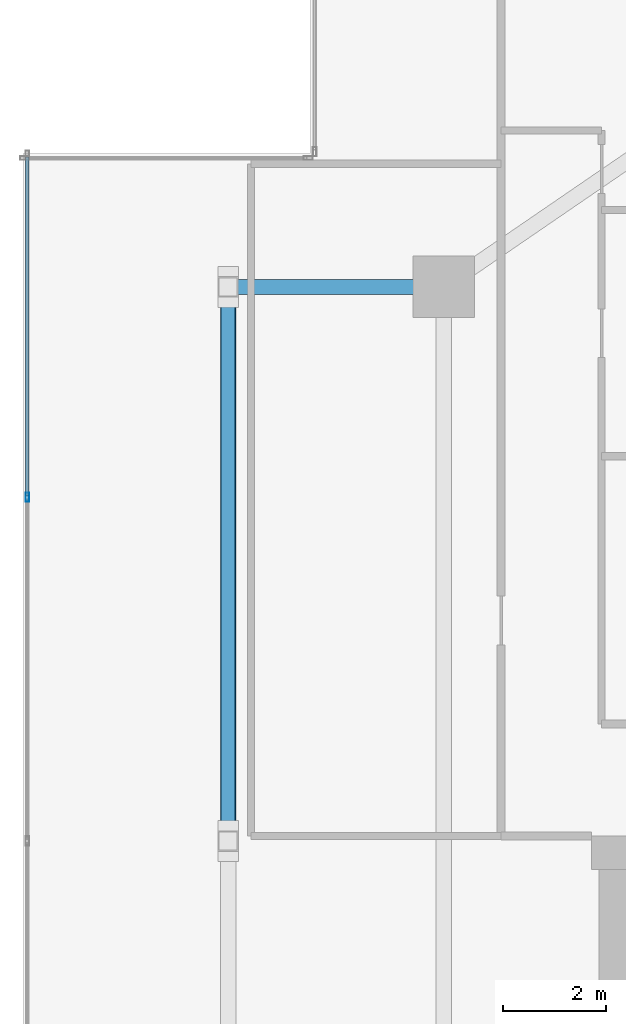
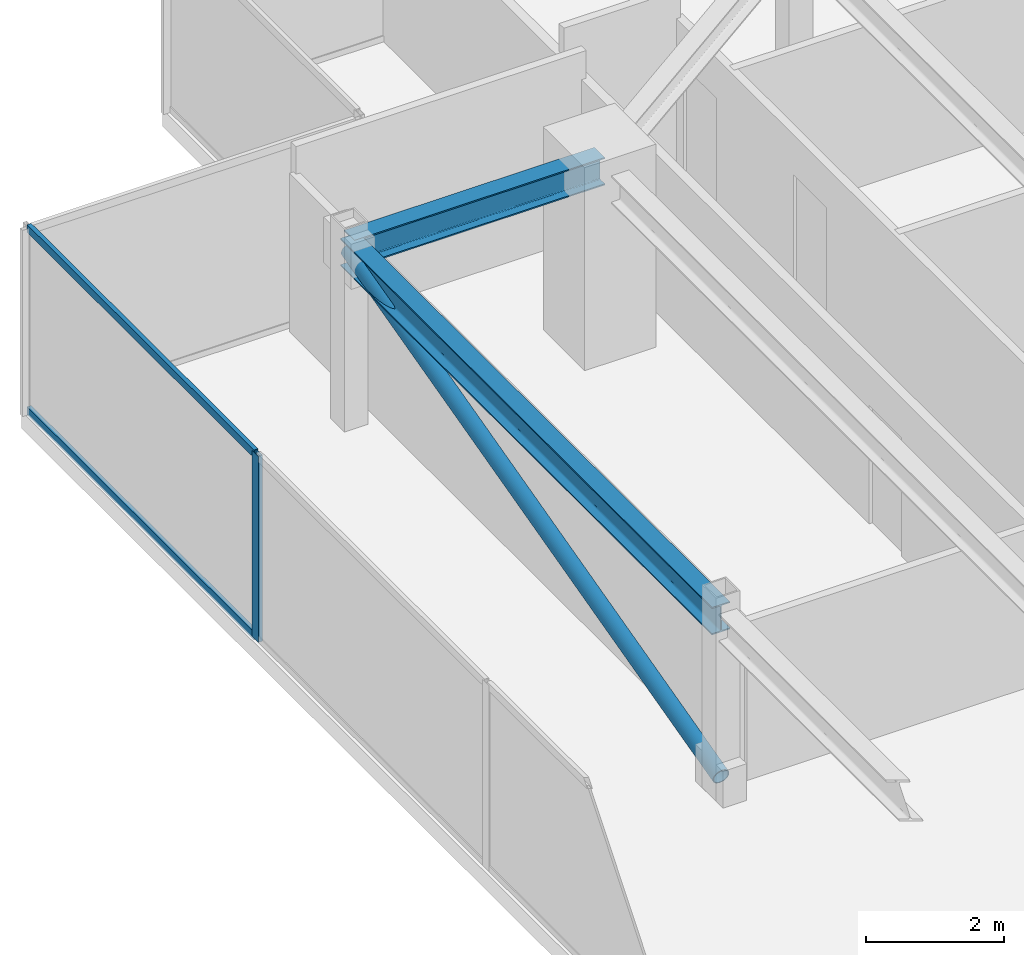
# One storey, part 10 of 25: 4 members, 2 beams, 1 element without a shape of its own.
"""IFC4 building model written with IfcOpenShell, lengths in metres."""

from ifc_helpers import new_model, si_unit, direction, frame, origin, origin_2d, place, context, subcontext, project, spatial, hollow_rectangle, hollow_circle, i_section, extrude, source, transform, mapped, material, material_profile, profile_set, type_object, type_shapes, element, aggregate, save


model = new_model("IFC4")

# Units and contexts
model_context = context("Model", 3, precision=1e-05, world=origin(), true_north=direction((0.0, 1.0)))
body_context = subcontext(model_context, "Body", "Model", "MODEL_VIEW")
ifc_project = project(units=[si_unit("LENGTHUNIT", "METRE"), si_unit("AREAUNIT", "SQUARE_METRE"), si_unit("VOLUMEUNIT", "CUBIC_METRE"), si_unit("PLANEANGLEUNIT", "RADIAN"), si_unit("MASSUNIT", "GRAM", prefix="KILO")], contexts=[model_context])

# Site, building, storey
site_placement = place(None, origin())
site = spatial("IfcSite", under=ifc_project, at=site_placement, CompositionType="ELEMENT")
building_placement = place(site_placement, origin())
building = spatial("IfcBuilding", under=site, at=building_placement, Name="Krantzveldt Concourse Tower", CompositionType="ELEMENT")
storey_placement = place(building_placement, frame((0.0, 0.0, 374.64990234375)))
storey = spatial("IfcBuildingStorey", under=building, at=storey_placement, Name="L92", CompositionType="ELEMENT", Elevation=374.64990234375)

# Beams
ifc_material_1 = material(Name="Steel S355JR", Category="steel")
ifc_material_profile_1 = material_profile(ifc_material_1, i_section(OverallWidth=0.300048828125, OverallDepth=0.489990234375, WebThickness=0.011962890625, FlangeThickness=0.02294921875, FilletRadius=0.027099609375, at=origin_2d()), Name="Steel S355JR", Category="steel")
ifc_profile_set_1 = profile_set([ifc_material_profile_1], Name="Steel S355JR - HEA 500")
beam_type = type_object("IfcBeamType", Name="BM-B-HEA500", PredefinedType="BEAM", material=ifc_profile_set_1)
shared_shape_1 = source(origin(), body_context, "Body", "SweptSolid", [
    extrude(i_section(OverallWidth=0.300048828125, OverallDepth=0.489990234375, WebThickness=0.011962890625, FlangeThickness=0.02294921875, FilletRadius=0.027099609375, at=origin_2d()), origin(), (0.0, 0.0, 1.0), 4.199951171875),
])
beam_1_placement = place(storey_placement, frame((21.0, 37.5, 3.05517578125), z_axis=(1.0, 0.0, 0.0), x_axis=(0.0, 1.0, 0.0)))
element("IfcBeam", 1, at=beam_1_placement, inside=storey, type_object=beam_type, Name="L92 Crown Girder WEST-3", PredefinedType="BEAM", context=body_context, shape_type="MappedRepresentation", body=[
    mapped(shared_shape_1, transform((0.0, 0.0, 0.0), x_axis=(1.0, 0.0, 0.0), y_axis=(0.0, 1.0, 0.0), z_axis=(0.0, 0.0, 1.0), scale=1.0)),
])
shared_shape_2 = source(origin(), body_context, "Body", "SweptSolid", [
    extrude(i_section(OverallWidth=0.300048828125, OverallDepth=0.489990234375, WebThickness=0.011962890625, FlangeThickness=0.02294921875, FilletRadius=0.027099609375, at=origin_2d()), origin(), (0.0, 0.0, 1.0), 10.800048828125),
])
type_shapes(beam_type, [shared_shape_1, shared_shape_2])
beam_2_placement = place(storey_placement, frame((21.0, 26.699951171875, 3.05517578125), z_axis=(0.0, 1.0, 0.0), x_axis=(-1.0, 0.0, 0.0)))
element("IfcBeam", 2, at=beam_2_placement, inside=storey, type_object=beam_type, Name="L92 Crown Girder WEST-2", PredefinedType="BEAM", context=body_context, shape_type="MappedRepresentation", body=[
    mapped(shared_shape_2, transform((0.0, 0.0, 0.0), x_axis=(1.0, 0.0, 0.0), y_axis=(0.0, 1.0, 0.0), z_axis=(0.0, 0.0, 1.0), scale=1.0)),
])

# Member
ifc_material_2 = material(Name="Steel S355J2", Category="steel")
ifc_material_profile_2 = material_profile(ifc_material_2, hollow_circle(Radius=0.136474609375, WallThickness=0.01611328125, at=origin_2d()), Name="Steel S355J2", Category="steel")
ifc_profile_set_2 = profile_set([ifc_material_profile_2], Name="Steel S355J2 - CHS 273x16")
member_type_1 = type_object("IfcMemberType", Name="MB-CB-CHS273", PredefinedType="BRACE", material=ifc_profile_set_2)
shared_shape_3 = source(origin(), body_context, "Body", "SweptSolid", [
    extrude(hollow_circle(Radius=0.136474609375, WallThickness=0.01611328125, at=origin_2d()), origin(), (0.0, 0.0, 1.0), 11.1572265625),
])
type_shapes(member_type_1, [shared_shape_3])
member_1_placement = place(storey_placement, frame((21.0, 26.699951171875, 0.25), z_axis=(0.0, 0.967996110632, 0.250965196393), x_axis=(-1.0, 0.0, 0.0)))
element("IfcMember", 3, at=member_1_placement, inside=storey, type_object=member_type_1, Name="Brace Diagonal CBR-L92-WEST", PredefinedType="BRACE", context=body_context, shape_type="MappedRepresentation", body=[
    mapped(shared_shape_3, transform((0.0, 0.0, 0.0), x_axis=(1.0, 0.0, 0.0), y_axis=(0.0, 1.0, 0.0), z_axis=(0.0, 0.0, 1.0), scale=1.0)),
])

# Curtain wall, members
ifc_material_3 = material(Name="Anodised aluminium 6063-T6", Category="aluminium")
curtain_wall_type = type_object("IfcCurtainWallType", Name="CW7", PredefinedType="USERDEFINED", material=ifc_material_3)
curtain_wall_placement = place(storey_placement, origin())
curtain_wall = element("IfcCurtainWall", 4, at=curtain_wall_placement, inside=storey, type_object=curtain_wall_type, Name="CW-L92-WEST-05", ObjectType="UNITISED CURTAIN WALL", PredefinedType="USERDEFINED")
ifc_material_profile_3 = material_profile(ifc_material_3, hollow_rectangle(XDim=0.070068359375, YDim=0.139892578125, WallThickness=0.0048828125, at=origin_2d()), Name="Anodised aluminium 6063-T6", Category="aluminium")
ifc_profile_set_3 = profile_set([ifc_material_profile_3], Name="Anodised aluminium 6063-T6 - ALU-TRAN 140x70x5")
member_type_2 = type_object("IfcMemberType", Name="CW-TRN-150", PredefinedType="USERDEFINED", material=ifc_profile_set_3)
shared_shape_4 = source(origin(), body_context, "Body", "SweptSolid", [
    extrude(hollow_rectangle(XDim=0.070068359375, YDim=0.139892578125, WallThickness=0.0048828125, at=origin_2d()), origin(), (0.0, 0.0, 1.0), 6.594970703125),
])
type_shapes(member_type_2, [shared_shape_4])
member_2_placement = place(storey_placement, frame((17.090087890625, 40.030029296875, 0.03515625), z_axis=(0.0, -1.0, 0.0), x_axis=(1.0, 0.0, 0.0)))
member_2 = element("IfcMember", 5, at=member_2_placement, type_object=member_type_2, Name="CW-CRN transom 1.1", ObjectType="TRANSOM", PredefinedType="USERDEFINED", context=body_context, shape_type="MappedRepresentation", body=[
    mapped(shared_shape_4, transform((0.0, 0.0, 0.0), x_axis=(1.0, 0.0, 0.0), y_axis=(0.0, 1.0, 0.0), z_axis=(0.0, 0.0, 1.0), scale=1.0)),
])
member_3_placement = place(storey_placement, frame((17.090087890625, 40.030029296875, 3.26513671875), z_axis=(0.0, -1.0, 0.0), x_axis=(1.0, 0.0, 0.0)))
member_3 = element("IfcMember", 6, at=member_3_placement, type_object=member_type_2, Name="CW-CRN transom 1.2", ObjectType="TRANSOM", PredefinedType="USERDEFINED", context=body_context, shape_type="MappedRepresentation", body=[
    mapped(shared_shape_4, transform((0.0, 0.0, 0.0), x_axis=(1.0, 0.0, 0.0), y_axis=(0.0, 1.0, 0.0), z_axis=(0.0, 0.0, 1.0), scale=1.0)),
])
ifc_material_profile_4 = material_profile(ifc_material_3, hollow_rectangle(XDim=0.070068359375, YDim=0.179931640625, WallThickness=0.0048828125, at=origin_2d()), Name="Anodised aluminium 6063-T6", Category="aluminium")
ifc_profile_set_4 = profile_set([ifc_material_profile_4], Name="Anodised aluminium 6063-T6 - ALU-MULL 180x70x5")
member_type_3 = type_object("IfcMemberType", Name="CW-MUL-180", PredefinedType="MULLION", material=ifc_profile_set_4)
shared_shape_5 = source(origin(), body_context, "Body", "SweptSolid", [
    extrude(hollow_rectangle(XDim=0.070068359375, YDim=0.179931640625, WallThickness=0.0048828125, at=origin_2d()), origin(), (0.0, 0.0, 1.0), 3.300048828125),
])
type_shapes(member_type_3, [shared_shape_5])
member_4_placement = place(storey_placement, frame((17.090087890625, 33.39990234375, 0.0), z_axis=(0.0, 0.0, 1.0), x_axis=(1.0, 0.0, 0.0)))
member_4 = element("IfcMember", 7, at=member_4_placement, type_object=member_type_3, Name="CW-CRN mullion 2", PredefinedType="MULLION", context=body_context, shape_type="MappedRepresentation", body=[
    mapped(shared_shape_5, transform((0.0, 0.0, 0.0), x_axis=(1.0, 0.0, 0.0), y_axis=(0.0, 1.0, 0.0), z_axis=(0.0, 0.0, 1.0), scale=1.0)),
])
aggregate(curtain_wall, [member_4, member_2, member_3])

save(model, "model.ifc")
